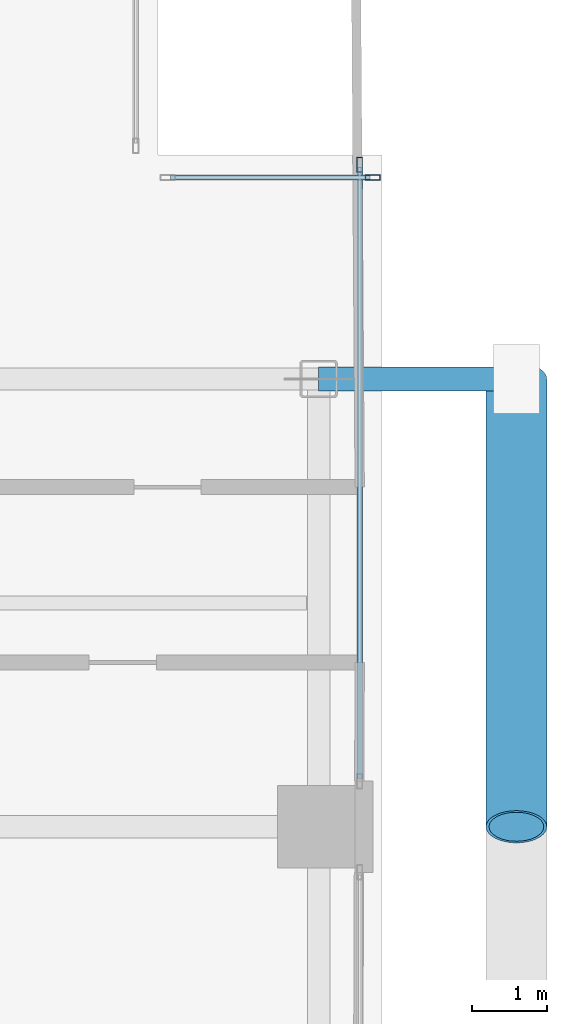
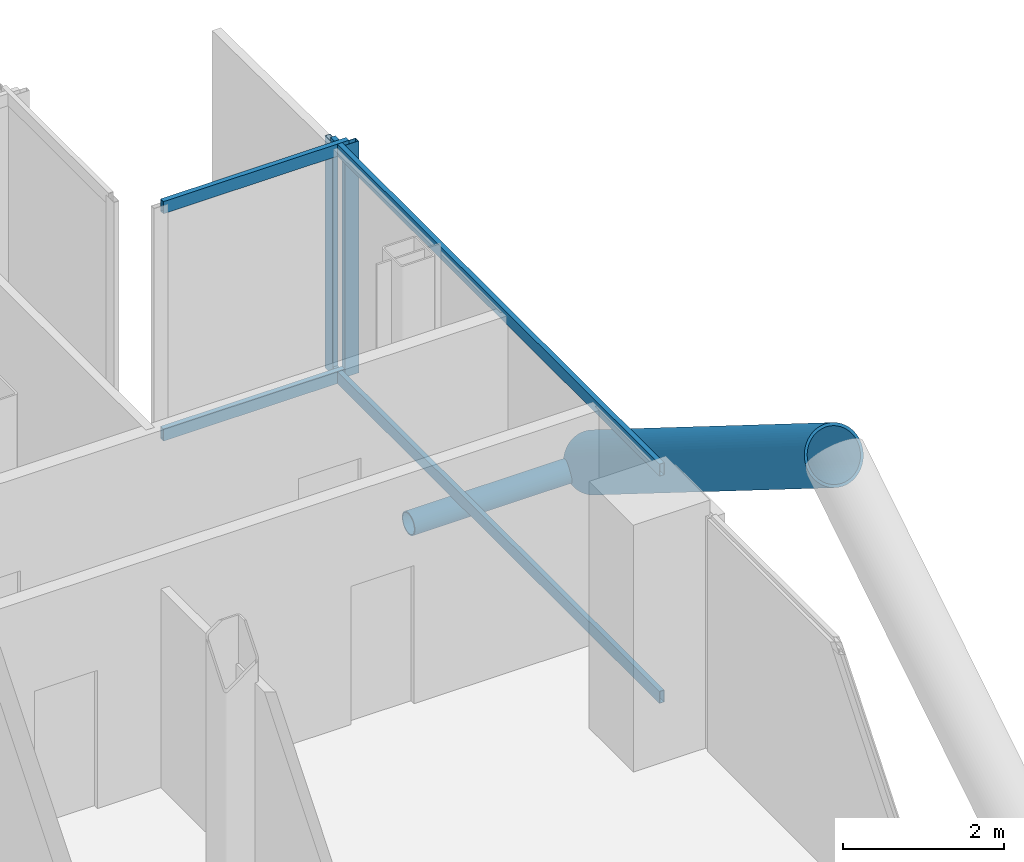
# One storey, part 14 of 28: 8 members, 2 elements without a shape of their own.
"""IFC4 building model written with IfcOpenShell, lengths in metres."""

from ifc_helpers import new_model, si_unit, direction, frame, origin, origin_2d, place, context, subcontext, project, spatial, hollow_rectangle, hollow_circle, extrude, material, layer, layer_set, material_profile, profile_set, type_object, element, aggregate, save


model = new_model("IFC4")

# Units and contexts
model_context = context("Model", 3, precision=1e-05, world=origin(), true_north=direction((0.0, 1.0)))
body_context = subcontext(model_context, "Body", "Model", "MODEL_VIEW")
ifc_project = project(units=[si_unit("LENGTHUNIT", "METRE"), si_unit("AREAUNIT", "SQUARE_METRE"), si_unit("VOLUMEUNIT", "CUBIC_METRE"), si_unit("PLANEANGLEUNIT", "RADIAN"), si_unit("MASSUNIT", "GRAM", prefix="KILO"), si_unit("THERMODYNAMICTEMPERATUREUNIT", "KELVIN"), si_unit("POWERUNIT", "WATT")], contexts=[model_context])

# Site, building, storey
site_placement = place(None, origin())
site = spatial("IfcSite", under=ifc_project, at=site_placement, CompositionType="ELEMENT")
building_placement = place(site_placement, origin())
building = spatial("IfcBuilding", under=site, at=building_placement, Name="Svarakhadi Broadcast Tower", CompositionType="ELEMENT")
storey_placement = place(building_placement, frame((0.0, 0.0, 149.39990234375)))
storey = spatial("IfcBuildingStorey", under=building, at=storey_placement, Name="L36", CompositionType="ELEMENT", Elevation=149.39990234375)

# Curtain wall, member
ifc_material_1 = material(Name="Anodised Bronze Aluminium AA 6063-T6", Category="aluminium")
ifc_layer = layer(ifc_material_1, 0.199951171875)
ifc_layer_set = layer_set([ifc_layer], Name="Anodised Bronze Aluminium AA 6063-T6")
curtain_wall_type = type_object("IfcCurtainWallType", Name="CW_Sys_03", PredefinedType="NOTDEFINED", material=ifc_layer_set)
curtain_wall_1_placement = place(storey_placement, origin())
curtain_wall_1 = element("IfcCurtainWall", 1, at=curtain_wall_1_placement, inside=storey, type_object=curtain_wall_type, Name="L36 Unitised Facade Curtain Wall 12", PredefinedType="NOTDEFINED")
ifc_material_profile_1 = material_profile(ifc_material_1, hollow_rectangle(XDim=0.074951171875, YDim=0.199951171875, WallThickness=0.005615234375, at=origin_2d()), Name="ALU MULLION 200x75x6")
ifc_profile_set_1 = profile_set([ifc_material_profile_1], Name="Anodised Bronze Aluminium AA 6063-T6")
member_type_1 = type_object("IfcMemberType", Name="CW_Sys_03_Mul", PredefinedType="MULLION", material=ifc_profile_set_1)
member_1_placement = place(storey_placement, frame((47.87255859375, 20.699951171875, 0.0), z_axis=(0.0, 0.0, 1.0), x_axis=(0.0, 1.0, 0.0)))
member_1 = element("IfcMember", 2, at=member_1_placement, type_object=member_type_1, Name="CW-03 mullion 2", PredefinedType="MULLION", context=body_context, shape_type="SweptSolid", body=[
    extrude(hollow_rectangle(XDim=0.074951171875, YDim=0.199951171875, WallThickness=0.005615234375, at=origin_2d()), origin(), (0.0, 0.0, 1.0), 3.525146484375),
])

curtain_wall_2_placement = place(storey_placement, origin())
curtain_wall_2 = element("IfcCurtainWall", 3, at=curtain_wall_2_placement, inside=storey, type_object=curtain_wall_type, Name="L36 Unitised Facade Curtain Wall 13 Bay 1", PredefinedType="NOTDEFINED")
member_2_placement = place(storey_placement, frame((47.699951171875, 20.87255859375, 0.0), z_axis=(0.0, 0.0, 1.0), x_axis=(1.0, 0.0, 0.0)))
member_2 = element("IfcMember", 4, at=member_2_placement, type_object=member_type_1, Name="CW-03 mullion 1", PredefinedType="MULLION", context=body_context, shape_type="SweptSolid", body=[
    extrude(hollow_rectangle(XDim=0.074951171875, YDim=0.199951171875, WallThickness=0.005615234375, at=origin_2d()), origin(), (0.0, 0.0, 1.0), 3.525146484375),
])

# Member
ifc_material_profile_2 = material_profile(ifc_material_1, hollow_rectangle(XDim=0.070068359375, YDim=0.18505859375, WallThickness=0.0048828125, at=origin_2d()), Name="ALU TRANSOM 185x70x5")
ifc_profile_set_2 = profile_set([ifc_material_profile_2], Name="Anodised Bronze Aluminium AA 6063-T6")
member_type_2 = type_object("IfcMemberType", Name="CW_Sys_03_Trn", PredefinedType="USERDEFINED", material=ifc_profile_set_2)
member_3_placement = place(storey_placement, frame((45.1650390625, 20.699951171875, 0.03515625), z_axis=(1.0, 0.0, 0.0), x_axis=(0.0, 1.0, 0.0)))
member_3 = element("IfcMember", 5, at=member_3_placement, type_object=member_type_2, Name="CW-03 transom 1.1", ObjectType="TRANSOM", PredefinedType="USERDEFINED", context=body_context, shape_type="SweptSolid", body=[
    extrude(hollow_rectangle(XDim=0.070068359375, YDim=0.18505859375, WallThickness=0.0048828125, at=origin_2d()), origin(), (0.0, 0.0, 1.0), 2.669921875),
])

member_4_placement = place(storey_placement, frame((45.1650390625, 20.699951171875, 3.489990234375), z_axis=(1.0, 0.0, 0.0), x_axis=(0.0, 1.0, 0.0)))
member_4 = element("IfcMember", 6, at=member_4_placement, type_object=member_type_2, Name="CW-03 transom 1.2", ObjectType="TRANSOM", PredefinedType="USERDEFINED", context=body_context, shape_type="SweptSolid", body=[
    extrude(hollow_rectangle(XDim=0.070068359375, YDim=0.18505859375, WallThickness=0.0048828125, at=origin_2d()), origin(), (0.0, 0.0, 1.0), 2.669921875),
])

aggregate(curtain_wall_1, [member_1, member_3, member_4])

member_5_placement = place(storey_placement, frame((47.699951171875, 20.8349609375, 0.03515625), z_axis=(0.0, -1.0, 0.0), x_axis=(1.0, 0.0, 0.0)))
member_5 = element("IfcMember", 7, at=member_5_placement, type_object=member_type_2, Name="CW-03 transom 1.1", ObjectType="TRANSOM", PredefinedType="USERDEFINED", context=body_context, shape_type="SweptSolid", body=[
    extrude(hollow_rectangle(XDim=0.070068359375, YDim=0.18505859375, WallThickness=0.0048828125, at=origin_2d()), origin(), (0.0, 0.0, 1.0), 8.18994140625),
])

member_6_placement = place(storey_placement, frame((47.699951171875, 20.8349609375, 3.489990234375), z_axis=(0.0, -1.0, 0.0), x_axis=(1.0, 0.0, 0.0)))
member_6 = element("IfcMember", 8, at=member_6_placement, type_object=member_type_2, Name="CW-03 transom 1.2", ObjectType="TRANSOM", PredefinedType="USERDEFINED", context=body_context, shape_type="SweptSolid", body=[
    extrude(hollow_rectangle(XDim=0.070068359375, YDim=0.18505859375, WallThickness=0.0048828125, at=origin_2d()), origin(), (0.0, 0.0, 1.0), 8.18994140625),
])

aggregate(curtain_wall_2, [member_2, member_5, member_6])

# Members
ifc_material_2 = material(Name="Steel S460ML (IS 2062 E450BR)", Category="steel")
ifc_material_profile_3 = material_profile(ifc_material_2, hollow_circle(Radius=0.406494140625, WallThickness=0.0400390625, at=origin_2d()), Name="CHS 813x40")
ifc_profile_set_3 = profile_set([ifc_material_profile_3], Name="Steel S460ML (IS 2062 E450BR)")
member_type_3 = type_object("IfcMemberType", Name="Exo_Brace_CHS813", PredefinedType="BRACE", material=ifc_profile_set_3)
member_7_placement = place(storey_placement, frame((49.800048828125, 18.0, -0.386962890625), z_axis=(0.0, -0.847998304005, 0.529998940003), x_axis=(1.0, 0.0, 0.0)))
element("IfcMember", 9, at=member_7_placement, inside=storey, type_object=member_type_3, Name="L36 Exposed Bronze Exoskeleton Diagonal E09", PredefinedType="BRACE", context=body_context, shape_type="SweptSolid", body=[
    extrude(hollow_circle(Radius=0.406494140625, WallThickness=0.0400390625, at=origin_2d()), origin(), (0.0, 0.0, 1.0), 7.075439453125),
])
ifc_material_profile_4 = material_profile(ifc_material_2, hollow_circle(Radius=0.161865234375, WallThickness=0.01611328125, at=origin_2d()), Name="CHS 323.9x16")
ifc_profile_set_4 = profile_set([ifc_material_profile_4], Name="Steel S460ML (IS 2062 E450BR)")
member_type_4 = type_object("IfcMemberType", Name="Exo_Radial_Strut_Z2", PredefinedType="STRUT", material=ifc_profile_set_4)
member_8_placement = place(storey_placement, frame((49.800048828125, 18.0, -0.386962890625), z_axis=(-1.0, 0.0, 0.0), x_axis=(0.0, -1.0, 0.0)))
element("IfcMember", 10, at=member_8_placement, inside=storey, type_object=member_type_4, Name="L36 Exoskeleton Radial Tie Strut E09", PredefinedType="STRUT", context=body_context, shape_type="SweptSolid", body=[
    extrude(hollow_circle(Radius=0.161865234375, WallThickness=0.01611328125, at=origin_2d()), origin(), (0.0, 0.0, 1.0), 2.650146484375),
])

save(model, "model.ifc")
